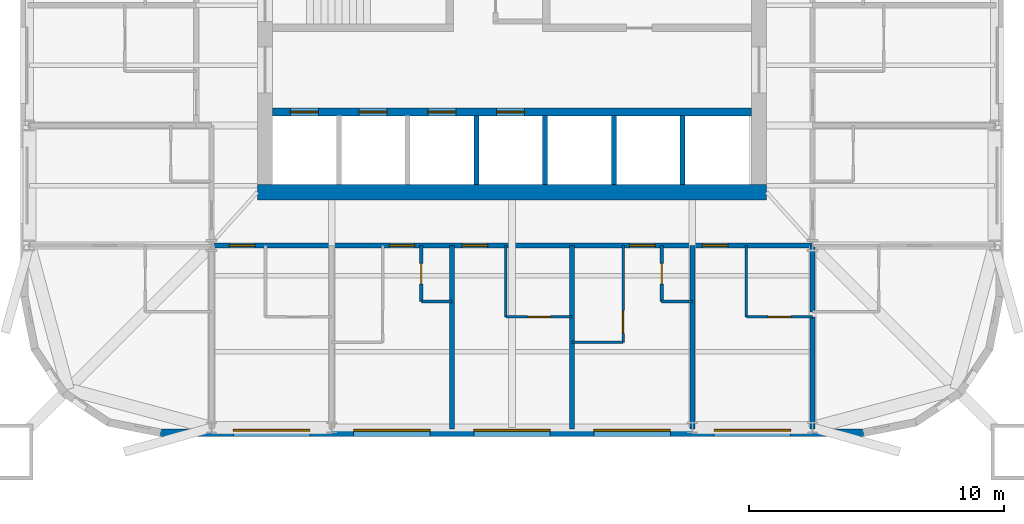
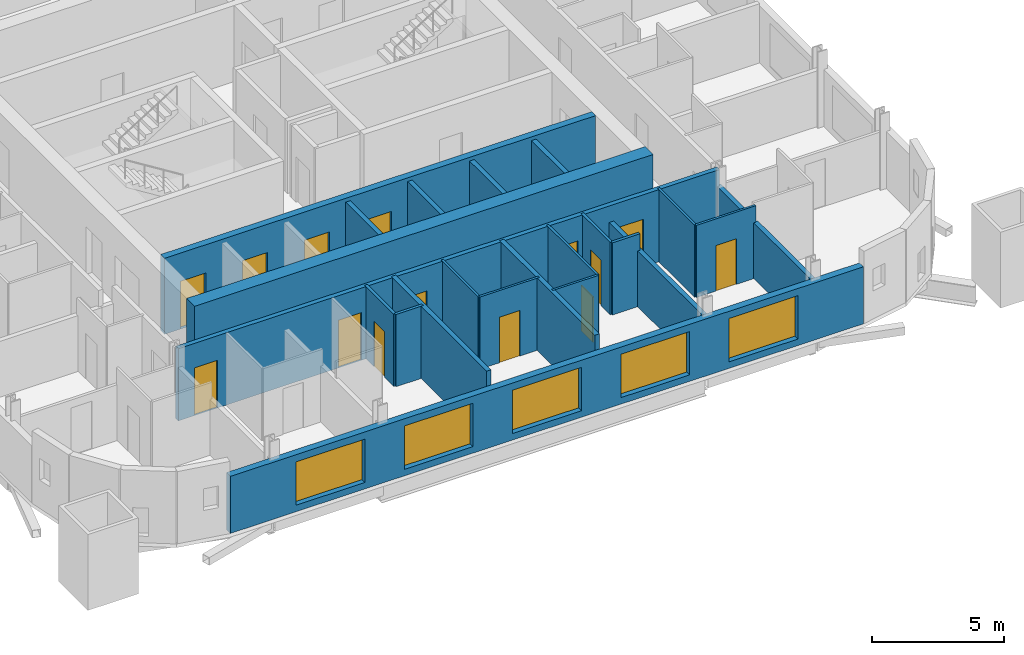
# One storey, part 3 of 9: 23 walls, 14 doors, 5 windows, 19 openings.
"""IFC4 building model written with IfcOpenShell, lengths in metres."""

from ifc_helpers import new_model, si_unit, direction, frame, frame_2d, origin, place, context, subcontext, project, spatial, rectangle, extrude, material, layer, layer_set, type_object, element, fill, save


model = new_model("IFC4")

# Units and contexts
model_context = context("Model", 3, precision=1e-05, world=origin(), true_north=direction((0.0, 1.0)))
body_context = subcontext(model_context, "Body", "Model", "MODEL_VIEW")
ifc_project = project(units=[si_unit("LENGTHUNIT", "METRE"), si_unit("AREAUNIT", "SQUARE_METRE"), si_unit("VOLUMEUNIT", "CUBIC_METRE"), si_unit("PLANEANGLEUNIT", "RADIAN"), si_unit("MASSUNIT", "GRAM", prefix="KILO")], contexts=[model_context])

# Site, building, storey
site_placement = place(None, origin())
site = spatial("IfcSite", under=ifc_project, at=site_placement, CompositionType="ELEMENT")
building_placement = place(site_placement, origin())
building = spatial("IfcBuilding", under=site, at=building_placement, Name="Turquesa Mirador Hotel Tower", CompositionType="ELEMENT")
storey_placement = place(building_placement, frame((0.0, 0.0, 214.300048828125)))
storey = spatial("IfcBuildingStorey", under=building, at=storey_placement, Name="L58", CompositionType="ELEMENT", Elevation=214.300048828125)

# Wall, opening, door
ifc_material_1 = material(Name="Gypsum board on steel studs", Category="steel")
ifc_layer_1 = layer(ifc_material_1, 0.10009765625)
ifc_layer_set_1 = layer_set([ifc_layer_1], Name="BATHROOM WALL 100")
wall_type_1 = type_object("IfcWallType", Name="BATHROOM WALL 100", PredefinedType="PARTITIONING", material=ifc_layer_set_1)
wall_1_placement = place(storey_placement, frame((54.760009765625, 30.39990234375, 0.0), z_axis=(0.0, 0.0, 1.0), x_axis=(1.0, 0.0, 0.0)))
wall_1 = element("IfcWall", 1, at=wall_1_placement, inside=storey, type_object=wall_type_1, Name="Partition L58 013", PredefinedType="PARTITIONING", context=body_context, shape_type="SweptSolid", body=[
    extrude(rectangle(XDim=2.60009765625, YDim=0.10009765625, at=frame_2d((1.300048828125, 0.0))), origin(), (0.0, 0.0, 1.0), 3.329833984375),
])
opening_1_placement = place(wall_1_placement, frame((0.85009765625, 0.0, 0.0)))
opening_1 = element("IfcOpeningElement", 2, at=opening_1_placement, cuts=wall_1, Name="Opening D02", PredefinedType="OPENING", context=body_context, shape_type="SweptSolid", body=[
    extrude(rectangle(XDim=0.89990234375, YDim=2.10009765625, at=frame_2d((0.449951171875, 1.050048828125))), frame((0.0, 0.06005859375, 0.0), z_axis=(0.0, -1.0, 0.0), x_axis=(1.0, 0.0, 0.0)), (0.0, 0.0, 1.0), 0.1201171875),
])
ifc_material_2 = material(Name="Timber veneered door", Category="wood")
door_type_1 = type_object("IfcDoorType", Name="DOOR 900X2100 EN-SUITE", OperationType="SINGLE_SWING_RIGHT", PredefinedType="DOOR", material=ifc_material_2)
door_1_placement = place(opening_1_placement, origin())
door_1 = element("IfcDoor", 3, at=door_1_placement, inside=storey, type_object=door_type_1, Name="Door 5808B", OperationType="SINGLE_SWING_RIGHT", OverallHeight=2.10009765625, OverallWidth=0.89990234375, PredefinedType="DOOR", context=body_context, shape_type="SweptSolid", body=[
    extrude(rectangle(XDim=0.89990234375, YDim=2.10009765625, at=frame_2d((0.449951171875, 1.050048828125))), frame((0.0, 0.02490234375, 0.0), z_axis=(0.0, -1.0, 0.0), x_axis=(1.0, 0.0, 0.0)), (0.0, 0.0, 1.0), 0.050048828125),
])
fill(opening_1, door_1)

wall_2_placement = place(storey_placement, frame((64.199951171875, 30.39990234375, 0.0), z_axis=(0.0, 0.0, 1.0), x_axis=(1.0, 0.0, 0.0)))
wall_2 = element("IfcWall", 4, at=wall_2_placement, inside=storey, type_object=wall_type_1, Name="Partition L58 014", PredefinedType="PARTITIONING", context=body_context, shape_type="SweptSolid", body=[
    extrude(rectangle(XDim=2.60009765625, YDim=0.10009765625, at=frame_2d((1.300048828125, 0.0))), origin(), (0.0, 0.0, 1.0), 3.329833984375),
])
opening_2_placement = place(wall_2_placement, frame((0.85009765625, 0.0, 0.0)))
opening_2 = element("IfcOpeningElement", 5, at=opening_2_placement, cuts=wall_2, Name="Opening D02", PredefinedType="OPENING", context=body_context, shape_type="SweptSolid", body=[
    extrude(rectangle(XDim=0.89990234375, YDim=2.10009765625, at=frame_2d((0.449951171875, 1.050048828125))), frame((0.0, 0.06005859375, 0.0), z_axis=(0.0, -1.0, 0.0), x_axis=(1.0, 0.0, 0.0)), (0.0, 0.0, 1.0), 0.1201171875),
])
door_2_placement = place(opening_2_placement, origin())
door_2 = element("IfcDoor", 6, at=door_2_placement, inside=storey, type_object=door_type_1, Name="Door 5810B", OperationType="SINGLE_SWING_RIGHT", OverallHeight=2.10009765625, OverallWidth=0.89990234375, PredefinedType="DOOR", context=body_context, shape_type="SweptSolid", body=[
    extrude(rectangle(XDim=0.89990234375, YDim=2.10009765625, at=frame_2d((0.449951171875, 1.050048828125))), frame((0.0, 0.02490234375, 0.0), z_axis=(0.0, -1.0, 0.0), x_axis=(1.0, 0.0, 0.0)), (0.0, 0.0, 1.0), 0.050048828125),
])
fill(opening_2, door_2)

# Walls
wall_3_placement = place(storey_placement, frame((57.360107421875, 29.39990234375, 0.0), z_axis=(0.0, 0.0, 1.0), x_axis=(1.0, 0.0, 0.0)))
element("IfcWall", 7, at=wall_3_placement, inside=storey, type_object=wall_type_1, Name="Partition L58 016", PredefinedType="PARTITIONING", context=body_context, shape_type="SweptSolid", body=[
    extrude(rectangle(XDim=2.0, YDim=0.10009765625, at=frame_2d((1.0, 0.0))), origin(), (0.0, 0.0, 1.0), 3.329833984375),
])
wall_4_placement = place(storey_placement, frame((54.760009765625, 30.39990234375, 0.0), z_axis=(0.0, 0.0, 1.0), x_axis=(0.0, 1.0, 0.0)))
element("IfcWall", 8, at=wall_4_placement, inside=storey, type_object=wall_type_1, Name="Partition L58 053", PredefinedType="PARTITIONING", context=body_context, shape_type="SweptSolid", body=[
    extrude(rectangle(XDim=2.800048828125, YDim=0.10009765625, at=frame_2d((1.39990234375, 0.0))), origin(), (0.0, 0.0, 1.0), 3.329833984375),
])

# Wall, opening, door
wall_5_placement = place(storey_placement, frame((59.360107421875, 29.39990234375, 0.0), z_axis=(0.0, 0.0, 1.0), x_axis=(0.0, 1.0, 0.0)))
wall_5 = element("IfcWall", 9, at=wall_5_placement, inside=storey, type_object=wall_type_1, Name="Partition L58 095", PredefinedType="PARTITIONING", context=body_context, shape_type="SweptSolid", body=[
    extrude(rectangle(XDim=3.800048828125, YDim=0.10009765625, at=frame_2d((1.89990234375, 0.0))), origin(), (0.0, 0.0, 1.0), 3.329833984375),
])
opening_3_placement = place(wall_5_placement, frame((0.35009765625, 0.0, 0.0)))
opening_3 = element("IfcOpeningElement", 10, at=opening_3_placement, cuts=wall_5, Name="Opening D02", PredefinedType="OPENING", context=body_context, shape_type="SweptSolid", body=[
    extrude(rectangle(XDim=0.89990234375, YDim=2.10009765625, at=frame_2d((0.449951171875, 1.050048828125))), frame((0.0, 0.06005859375, 0.0), z_axis=(0.0, -1.0, 0.0), x_axis=(1.0, 0.0, 0.0)), (0.0, 0.0, 1.0), 0.1201171875),
])
door_3_placement = place(opening_3_placement, origin())
door_3 = element("IfcDoor", 11, at=door_3_placement, inside=storey, type_object=door_type_1, Name="Door 5809B", OperationType="SINGLE_SWING_RIGHT", OverallHeight=2.10009765625, OverallWidth=0.89990234375, PredefinedType="DOOR", context=body_context, shape_type="SweptSolid", body=[
    extrude(rectangle(XDim=0.89990234375, YDim=2.10009765625, at=frame_2d((0.449951171875, 1.050048828125))), frame((0.0, 0.02490234375, 0.0), z_axis=(0.0, -1.0, 0.0), x_axis=(1.0, 0.0, 0.0)), (0.0, 0.0, 1.0), 0.050048828125),
])
fill(opening_3, door_3)

# Wall
wall_6_placement = place(storey_placement, frame((64.199951171875, 30.39990234375, 0.0), z_axis=(0.0, 0.0, 1.0), x_axis=(0.0, 1.0, 0.0)))
element("IfcWall", 12, at=wall_6_placement, inside=storey, type_object=wall_type_1, Name="Partition L58 100", PredefinedType="PARTITIONING", context=body_context, shape_type="SweptSolid", body=[
    extrude(rectangle(XDim=2.800048828125, YDim=0.10009765625, at=frame_2d((1.39990234375, 0.0))), origin(), (0.0, 0.0, 1.0), 3.329833984375),
])

# Wall, openings, doors
ifc_material_3 = material(Name="Concrete C50/60", Category="concrete")
ifc_layer_2 = layer(ifc_material_3, 0.300048828125)
ifc_layer_set_2 = layer_set([ifc_layer_2], Name="CORE INNER WALL 300")
wall_type_2 = type_object("IfcWallType", Name="CORE INNER WALL 300", PredefinedType="SHEAR", material=ifc_layer_set_2)
wall_7_placement = place(storey_placement, frame((45.60009765625, 38.449951171875, 0.0), z_axis=(0.0, 0.0, 1.0), x_axis=(1.0, 0.0, 0.0)))
wall_7 = element("IfcWall", 13, at=wall_7_placement, inside=storey, type_object=wall_type_2, Name="Core wall SL", PredefinedType="SHEAR", context=body_context, shape_type="SweptSolid", body=[
    extrude(rectangle(XDim=18.7998046875, YDim=0.300048828125, at=frame_2d((9.39990234375, 0.0))), origin(), (0.0, 0.0, 1.0), 3.5),
])
opening_4_placement = place(wall_7_placement, frame((0.699951171875, 0.0, 0.0)))
opening_4 = element("IfcOpeningElement", 14, at=opening_4_placement, cuts=wall_7, Name="Opening LD", PredefinedType="OPENING", context=body_context, shape_type="SweptSolid", body=[
    extrude(rectangle(XDim=1.10009765625, YDim=2.199951171875, at=frame_2d((0.550048828125, 1.10009765625))), frame((0.0, 0.159912109375, 0.0), z_axis=(0.0, -1.0, 0.0), x_axis=(1.0, 0.0, 0.0)), (0.0, 0.0, 1.0), 0.320068359375),
])
opening_5_placement = place(wall_7_placement, frame((3.39990234375, 0.0, 0.0)))
opening_5 = element("IfcOpeningElement", 15, at=opening_5_placement, cuts=wall_7, Name="Opening LD", PredefinedType="OPENING", context=body_context, shape_type="SweptSolid", body=[
    extrude(rectangle(XDim=1.10009765625, YDim=2.199951171875, at=frame_2d((0.550048828125, 1.10009765625))), frame((0.0, 0.159912109375, 0.0), z_axis=(0.0, -1.0, 0.0), x_axis=(1.0, 0.0, 0.0)), (0.0, 0.0, 1.0), 0.320068359375),
])
opening_6_placement = place(wall_7_placement, frame((6.10009765625, 0.0, 0.0)))
opening_6 = element("IfcOpeningElement", 16, at=opening_6_placement, cuts=wall_7, Name="Opening LD", PredefinedType="OPENING", context=body_context, shape_type="SweptSolid", body=[
    extrude(rectangle(XDim=1.10009765625, YDim=2.199951171875, at=frame_2d((0.550048828125, 1.10009765625))), frame((0.0, 0.159912109375, 0.0), z_axis=(0.0, -1.0, 0.0), x_axis=(1.0, 0.0, 0.0)), (0.0, 0.0, 1.0), 0.320068359375),
])
opening_7_placement = place(wall_7_placement, frame((8.800048828125, 0.0, 0.0)))
opening_7 = element("IfcOpeningElement", 17, at=opening_7_placement, cuts=wall_7, Name="Opening LD", PredefinedType="OPENING", context=body_context, shape_type="SweptSolid", body=[
    extrude(rectangle(XDim=1.10009765625, YDim=2.199951171875, at=frame_2d((0.550048828125, 1.10009765625))), frame((0.0, 0.159912109375, 0.0), z_axis=(0.0, -1.0, 0.0), x_axis=(1.0, 0.0, 0.0)), (0.0, 0.0, 1.0), 0.320068359375),
])
ifc_material_4 = material(Name="Stainless steel lift landing door", Category="steel")
door_type_2 = type_object("IfcDoorType", Name="LIFT LANDING DOOR 1100X2200", OperationType="SLIDING_TO_LEFT", PredefinedType="DOOR", material=ifc_material_4)
door_4_placement = place(opening_4_placement, origin())
door_4 = element("IfcDoor", 18, at=door_4_placement, inside=storey, type_object=door_type_2, Name="Lift B1 landing door", OperationType="SLIDING_TO_LEFT", OverallHeight=2.199951171875, OverallWidth=1.10009765625, PredefinedType="DOOR", context=body_context, shape_type="SweptSolid", body=[
    extrude(rectangle(XDim=1.10009765625, YDim=2.199951171875, at=frame_2d((0.550048828125, 1.10009765625))), frame((0.0, 0.02490234375, 0.0), z_axis=(0.0, -1.0, 0.0), x_axis=(1.0, 0.0, 0.0)), (0.0, 0.0, 1.0), 0.050048828125),
])
fill(opening_4, door_4)
door_5_placement = place(opening_5_placement, origin())
door_5 = element("IfcDoor", 19, at=door_5_placement, inside=storey, type_object=door_type_2, Name="Lift B2 landing door", OperationType="SLIDING_TO_LEFT", OverallHeight=2.199951171875, OverallWidth=1.10009765625, PredefinedType="DOOR", context=body_context, shape_type="SweptSolid", body=[
    extrude(rectangle(XDim=1.10009765625, YDim=2.199951171875, at=frame_2d((0.550048828125, 1.10009765625))), frame((0.0, 0.02490234375, 0.0), z_axis=(0.0, -1.0, 0.0), x_axis=(1.0, 0.0, 0.0)), (0.0, 0.0, 1.0), 0.050048828125),
])
fill(opening_5, door_5)
door_6_placement = place(opening_6_placement, origin())
door_6 = element("IfcDoor", 20, at=door_6_placement, inside=storey, type_object=door_type_2, Name="Lift B3 landing door", OperationType="SLIDING_TO_LEFT", OverallHeight=2.199951171875, OverallWidth=1.10009765625, PredefinedType="DOOR", context=body_context, shape_type="SweptSolid", body=[
    extrude(rectangle(XDim=1.10009765625, YDim=2.199951171875, at=frame_2d((0.550048828125, 1.10009765625))), frame((0.0, 0.02490234375, 0.0), z_axis=(0.0, -1.0, 0.0), x_axis=(1.0, 0.0, 0.0)), (0.0, 0.0, 1.0), 0.050048828125),
])
fill(opening_6, door_6)
door_7_placement = place(opening_7_placement, origin())
door_7 = element("IfcDoor", 21, at=door_7_placement, inside=storey, type_object=door_type_2, Name="Lift B4 landing door", OperationType="SLIDING_TO_LEFT", OverallHeight=2.199951171875, OverallWidth=1.10009765625, PredefinedType="DOOR", context=body_context, shape_type="SweptSolid", body=[
    extrude(rectangle(XDim=1.10009765625, YDim=2.199951171875, at=frame_2d((0.550048828125, 1.10009765625))), frame((0.0, 0.02490234375, 0.0), z_axis=(0.0, -1.0, 0.0), x_axis=(1.0, 0.0, 0.0)), (0.0, 0.0, 1.0), 0.050048828125),
])
fill(opening_7, door_7)

# Wall
ifc_material_5 = material(Name="Concrete C50/60", Category="concrete")
ifc_layer_3 = layer(ifc_material_5, 0.60009765625)
ifc_layer_set_3 = layer_set([ifc_layer_3], Name="CORE WALL 600")
wall_type_3 = type_object("IfcWallType", Name="CORE WALL 600", PredefinedType="SHEAR", material=ifc_layer_set_3)
wall_8_placement = place(storey_placement, frame((45.0, 35.300048828125, 0.0), z_axis=(0.0, 0.0, 1.0), x_axis=(1.0, 0.0, 0.0)))
element("IfcWall", 22, at=wall_8_placement, inside=storey, type_object=wall_type_3, Name="Core wall S", PredefinedType="SHEAR", context=body_context, shape_type="SweptSolid", body=[
    extrude(rectangle(XDim=20.0, YDim=0.60009765625, at=frame_2d((10.0, 0.0))), origin(), (0.0, 0.0, 1.0), 3.5),
])

# Wall, openings, doors
ifc_material_6 = material(Name="Fire-rated gypsum board on steel studs", Category="steel")
ifc_layer_4 = layer(ifc_material_6, 0.199951171875)
ifc_layer_set_4 = layer_set([ifc_layer_4], Name="CORRIDOR WALL 200")
wall_type_4 = type_object("IfcWallType", Name="CORRIDOR WALL 200", PredefinedType="PARTITIONING", material=ifc_layer_set_4)
wall_9_placement = place(storey_placement, frame((43.199951171875, 33.199951171875, 0.0), z_axis=(0.0, 0.0, 1.0), x_axis=(1.0, 0.0, 0.0)))
wall_9 = element("IfcWall", 23, at=wall_9_placement, inside=storey, type_object=wall_type_4, Name="Partition L58 005", PredefinedType="PARTITIONING", context=body_context, shape_type="SweptSolid", body=[
    extrude(rectangle(XDim=23.60009765625, YDim=0.199951171875, at=frame_2d((11.800048828125, 0.0))), origin(), (0.0, 0.0, 1.0), 3.329833984375),
])
opening_8_placement = place(wall_9_placement, frame((0.699951171875, 0.0, 0.0)))
opening_8 = element("IfcOpeningElement", 24, at=opening_8_placement, cuts=wall_9, Name="Opening D01", PredefinedType="OPENING", context=body_context, shape_type="SweptSolid", body=[
    extrude(rectangle(XDim=1.0, YDim=2.199951171875, at=frame_2d((0.5, 1.10009765625))), frame((0.0, 0.10986328125, 0.0), z_axis=(0.0, -1.0, 0.0), x_axis=(1.0, 0.0, 0.0)), (0.0, 0.0, 1.0), 0.219970703125),
])
opening_9_placement = place(wall_9_placement, frame((6.97998046875, 0.0, 0.0)))
opening_9 = element("IfcOpeningElement", 25, at=opening_9_placement, cuts=wall_9, Name="Opening D01", PredefinedType="OPENING", context=body_context, shape_type="SweptSolid", body=[
    extrude(rectangle(XDim=1.0, YDim=2.199951171875, at=frame_2d((0.5, 1.10009765625))), frame((0.0, 0.10986328125, 0.0), z_axis=(0.0, -1.0, 0.0), x_axis=(1.0, 0.0, 0.0)), (0.0, 0.0, 1.0), 0.219970703125),
])
opening_10_placement = place(wall_9_placement, frame((9.840087890625, 0.0, 0.0)))
opening_10 = element("IfcOpeningElement", 26, at=opening_10_placement, cuts=wall_9, Name="Opening D01", PredefinedType="OPENING", context=body_context, shape_type="SweptSolid", body=[
    extrude(rectangle(XDim=1.0, YDim=2.199951171875, at=frame_2d((0.5, 1.10009765625))), frame((0.0, 0.10986328125, 0.0), z_axis=(0.0, -1.0, 0.0), x_axis=(1.0, 0.0, 0.0)), (0.0, 0.0, 1.0), 0.219970703125),
])
opening_11_placement = place(wall_9_placement, frame((16.419921875, 0.0, 0.0)))
opening_11 = element("IfcOpeningElement", 27, at=opening_11_placement, cuts=wall_9, Name="Opening D01", PredefinedType="OPENING", context=body_context, shape_type="SweptSolid", body=[
    extrude(rectangle(XDim=1.0, YDim=2.199951171875, at=frame_2d((0.5, 1.10009765625))), frame((0.0, 0.10986328125, 0.0), z_axis=(0.0, -1.0, 0.0), x_axis=(1.0, 0.0, 0.0)), (0.0, 0.0, 1.0), 0.219970703125),
])
opening_12_placement = place(wall_9_placement, frame((19.280029296875, 0.0, 0.0)))
opening_12 = element("IfcOpeningElement", 28, at=opening_12_placement, cuts=wall_9, Name="Opening D01", PredefinedType="OPENING", context=body_context, shape_type="SweptSolid", body=[
    extrude(rectangle(XDim=1.0, YDim=2.199951171875, at=frame_2d((0.5, 1.10009765625))), frame((0.0, 0.10986328125, 0.0), z_axis=(0.0, -1.0, 0.0), x_axis=(1.0, 0.0, 0.0)), (0.0, 0.0, 1.0), 0.219970703125),
])
ifc_material_7 = material(Name="Timber veneered fire door", Category="wood")
door_type_3 = type_object("IfcDoorType", Name="DOOR 1000X2200 GUEST ENTRY", OperationType="SINGLE_SWING_LEFT", PredefinedType="DOOR", material=ifc_material_7)
door_8_placement = place(opening_8_placement, origin())
door_8 = element("IfcDoor", 29, at=door_8_placement, inside=storey, type_object=door_type_3, Name="Door 5806", OperationType="SINGLE_SWING_LEFT", OverallHeight=2.199951171875, OverallWidth=1.0, PredefinedType="DOOR", context=body_context, shape_type="SweptSolid", body=[
    extrude(rectangle(XDim=1.0, YDim=2.199951171875, at=frame_2d((0.5, 1.10009765625))), frame((0.0, 0.02490234375, 0.0), z_axis=(0.0, -1.0, 0.0), x_axis=(1.0, 0.0, 0.0)), (0.0, 0.0, 1.0), 0.050048828125),
])
fill(opening_8, door_8)
door_9_placement = place(opening_9_placement, origin())
door_9 = element("IfcDoor", 30, at=door_9_placement, inside=storey, type_object=door_type_3, Name="Door 5807", OperationType="SINGLE_SWING_LEFT", OverallHeight=2.199951171875, OverallWidth=1.0, PredefinedType="DOOR", context=body_context, shape_type="SweptSolid", body=[
    extrude(rectangle(XDim=1.0, YDim=2.199951171875, at=frame_2d((0.5, 1.10009765625))), frame((0.0, 0.02490234375, 0.0), z_axis=(0.0, -1.0, 0.0), x_axis=(1.0, 0.0, 0.0)), (0.0, 0.0, 1.0), 0.050048828125),
])
fill(opening_9, door_9)
door_10_placement = place(opening_10_placement, origin())
door_10 = element("IfcDoor", 31, at=door_10_placement, inside=storey, type_object=door_type_3, Name="Door 5808", OperationType="SINGLE_SWING_LEFT", OverallHeight=2.199951171875, OverallWidth=1.0, PredefinedType="DOOR", context=body_context, shape_type="SweptSolid", body=[
    extrude(rectangle(XDim=1.0, YDim=2.199951171875, at=frame_2d((0.5, 1.10009765625))), frame((0.0, 0.02490234375, 0.0), z_axis=(0.0, -1.0, 0.0), x_axis=(1.0, 0.0, 0.0)), (0.0, 0.0, 1.0), 0.050048828125),
])
fill(opening_10, door_10)
door_11_placement = place(opening_11_placement, origin())
door_11 = element("IfcDoor", 32, at=door_11_placement, inside=storey, type_object=door_type_3, Name="Door 5809", OperationType="SINGLE_SWING_LEFT", OverallHeight=2.199951171875, OverallWidth=1.0, PredefinedType="DOOR", context=body_context, shape_type="SweptSolid", body=[
    extrude(rectangle(XDim=1.0, YDim=2.199951171875, at=frame_2d((0.5, 1.10009765625))), frame((0.0, 0.02490234375, 0.0), z_axis=(0.0, -1.0, 0.0), x_axis=(1.0, 0.0, 0.0)), (0.0, 0.0, 1.0), 0.050048828125),
])
fill(opening_11, door_11)
door_12_placement = place(opening_12_placement, origin())
door_12 = element("IfcDoor", 33, at=door_12_placement, inside=storey, type_object=door_type_3, Name="Door 5810", OperationType="SINGLE_SWING_LEFT", OverallHeight=2.199951171875, OverallWidth=1.0, PredefinedType="DOOR", context=body_context, shape_type="SweptSolid", body=[
    extrude(rectangle(XDim=1.0, YDim=2.199951171875, at=frame_2d((0.5, 1.10009765625))), frame((0.0, 0.02490234375, 0.0), z_axis=(0.0, -1.0, 0.0), x_axis=(1.0, 0.0, 0.0)), (0.0, 0.0, 1.0), 0.050048828125),
])
fill(opening_12, door_12)

# Wall, openings, windows
ifc_material_8 = material(Name="Limestone cladding on concrete block", Category="masonry")
ifc_layer_5 = layer(ifc_material_8, 0.300048828125)
ifc_layer_set_5 = layer_set([ifc_layer_5], Name="FACADE WALL 300 STONE SCREEN")
wall_type_5 = type_object("IfcWallType", Name="FACADE WALL 300 STONE SCREEN", PredefinedType="SOLIDWALL", material=ifc_layer_set_5)
wall_10_placement = place(storey_placement, frame((41.199951171875, 25.85009765625, 0.0), z_axis=(0.0, 0.0, 1.0), x_axis=(1.0, 0.0, 0.0)))
wall_10 = element("IfcWall", 34, at=wall_10_placement, inside=storey, type_object=wall_type_5, Name="Facade wall L58 19", PredefinedType="SOLIDWALL", context=body_context, shape_type="SweptSolid", body=[
    extrude(rectangle(XDim=27.60009765625, YDim=0.300048828125, at=frame_2d((13.800048828125, 0.0))), origin(), (0.0, 0.0, 1.0), 2.6298828125),
])
opening_13_placement = place(wall_10_placement, frame((2.860107421875, 0.0, 0.300048828125)))
opening_13 = element("IfcOpeningElement", 35, at=opening_13_placement, cuts=wall_10, Name="Opening WN1", PredefinedType="OPENING", context=body_context, shape_type="SweptSolid", body=[
    extrude(rectangle(XDim=3.0, YDim=2.0, at=frame_2d((1.5, 1.0))), frame((0.0, 0.159912109375, 0.0), z_axis=(0.0, -1.0, 0.0), x_axis=(1.0, 0.0, 0.0)), (0.0, 0.0, 1.0), 0.320068359375),
])
opening_14_placement = place(wall_10_placement, frame((7.580078125, 0.0, 0.300048828125)))
opening_14 = element("IfcOpeningElement", 36, at=opening_14_placement, cuts=wall_10, Name="Opening WN1", PredefinedType="OPENING", context=body_context, shape_type="SweptSolid", body=[
    extrude(rectangle(XDim=3.0, YDim=2.0, at=frame_2d((1.5, 1.0))), frame((0.0, 0.159912109375, 0.0), z_axis=(0.0, -1.0, 0.0), x_axis=(1.0, 0.0, 0.0)), (0.0, 0.0, 1.0), 0.320068359375),
])
opening_15_placement = place(wall_10_placement, frame((12.300048828125, 0.0, 0.300048828125)))
opening_15 = element("IfcOpeningElement", 37, at=opening_15_placement, cuts=wall_10, Name="Opening WN1", PredefinedType="OPENING", context=body_context, shape_type="SweptSolid", body=[
    extrude(rectangle(XDim=3.0, YDim=2.0, at=frame_2d((1.5, 1.0))), frame((0.0, 0.159912109375, 0.0), z_axis=(0.0, -1.0, 0.0), x_axis=(1.0, 0.0, 0.0)), (0.0, 0.0, 1.0), 0.320068359375),
])
opening_16_placement = place(wall_10_placement, frame((17.02001953125, 0.0, 0.300048828125)))
opening_16 = element("IfcOpeningElement", 38, at=opening_16_placement, cuts=wall_10, Name="Opening WN1", PredefinedType="OPENING", context=body_context, shape_type="SweptSolid", body=[
    extrude(rectangle(XDim=3.0, YDim=2.0, at=frame_2d((1.5, 1.0))), frame((0.0, 0.159912109375, 0.0), z_axis=(0.0, -1.0, 0.0), x_axis=(1.0, 0.0, 0.0)), (0.0, 0.0, 1.0), 0.320068359375),
])
opening_17_placement = place(wall_10_placement, frame((21.739990234375, 0.0, 0.300048828125)))
opening_17 = element("IfcOpeningElement", 39, at=opening_17_placement, cuts=wall_10, Name="Opening WN1", PredefinedType="OPENING", context=body_context, shape_type="SweptSolid", body=[
    extrude(rectangle(XDim=3.0, YDim=2.0, at=frame_2d((1.5, 1.0))), frame((0.0, 0.159912109375, 0.0), z_axis=(0.0, -1.0, 0.0), x_axis=(1.0, 0.0, 0.0)), (0.0, 0.0, 1.0), 0.320068359375),
])
ifc_material_9 = material(Name="Ceramic-fritted laminated glass", Category="glass")
window_type = type_object("IfcWindowType", Name="FRITTED WINDOW 3000X2000", PartitioningType="DOUBLE_PANEL_HORIZONTAL", PredefinedType="WINDOW", material=ifc_material_9)
window_1_placement = place(opening_13_placement, origin())
window_1 = element("IfcWindow", 40, at=window_1_placement, inside=storey, type_object=window_type, Name="Window L58", OverallHeight=2.0, OverallWidth=3.0, PartitioningType="SINGLE_PANEL", PredefinedType="WINDOW", context=body_context, shape_type="SweptSolid", body=[
    extrude(rectangle(XDim=3.0, YDim=2.0, at=frame_2d((1.5, 1.0))), frame((0.0, 0.130126953125, 0.0), z_axis=(0.0, -1.0, 0.0), x_axis=(1.0, 0.0, 0.0)), (0.0, 0.0, 1.0), 0.06005859375),
])
fill(opening_13, window_1)
window_2_placement = place(opening_14_placement, origin())
window_2 = element("IfcWindow", 41, at=window_2_placement, inside=storey, type_object=window_type, Name="Window L58", OverallHeight=2.0, OverallWidth=3.0, PartitioningType="SINGLE_PANEL", PredefinedType="WINDOW", context=body_context, shape_type="SweptSolid", body=[
    extrude(rectangle(XDim=3.0, YDim=2.0, at=frame_2d((1.5, 1.0))), frame((0.0, 0.130126953125, 0.0), z_axis=(0.0, -1.0, 0.0), x_axis=(1.0, 0.0, 0.0)), (0.0, 0.0, 1.0), 0.06005859375),
])
fill(opening_14, window_2)
window_3_placement = place(opening_15_placement, origin())
window_3 = element("IfcWindow", 42, at=window_3_placement, inside=storey, type_object=window_type, Name="Window L58", OverallHeight=2.0, OverallWidth=3.0, PartitioningType="SINGLE_PANEL", PredefinedType="WINDOW", context=body_context, shape_type="SweptSolid", body=[
    extrude(rectangle(XDim=3.0, YDim=2.0, at=frame_2d((1.5, 1.0))), frame((0.0, 0.130126953125, 0.0), z_axis=(0.0, -1.0, 0.0), x_axis=(1.0, 0.0, 0.0)), (0.0, 0.0, 1.0), 0.06005859375),
])
fill(opening_15, window_3)
window_4_placement = place(opening_16_placement, origin())
window_4 = element("IfcWindow", 43, at=window_4_placement, inside=storey, type_object=window_type, Name="Window L58", OverallHeight=2.0, OverallWidth=3.0, PartitioningType="SINGLE_PANEL", PredefinedType="WINDOW", context=body_context, shape_type="SweptSolid", body=[
    extrude(rectangle(XDim=3.0, YDim=2.0, at=frame_2d((1.5, 1.0))), frame((0.0, 0.130126953125, 0.0), z_axis=(0.0, -1.0, 0.0), x_axis=(1.0, 0.0, 0.0)), (0.0, 0.0, 1.0), 0.06005859375),
])
fill(opening_16, window_4)
window_5_placement = place(opening_17_placement, origin())
window_5 = element("IfcWindow", 44, at=window_5_placement, inside=storey, type_object=window_type, Name="Window L58", OverallHeight=2.0, OverallWidth=3.0, PartitioningType="SINGLE_PANEL", PredefinedType="WINDOW", context=body_context, shape_type="SweptSolid", body=[
    extrude(rectangle(XDim=3.0, YDim=2.0, at=frame_2d((1.5, 1.0))), frame((0.0, 0.130126953125, 0.0), z_axis=(0.0, -1.0, 0.0), x_axis=(1.0, 0.0, 0.0)), (0.0, 0.0, 1.0), 0.06005859375),
])
fill(opening_17, window_5)

# Walls
ifc_material_10 = material(Name="Fire-rated gypsum shaft wall on steel studs", Category="steel")
ifc_layer_6 = layer(ifc_material_10, 0.199951171875)
ifc_layer_set_6 = layer_set([ifc_layer_6], Name="LIFT SHAFT DIVIDER 200")
wall_type_6 = type_object("IfcWallType", Name="LIFT SHAFT DIVIDER 200", PredefinedType="PARTITIONING", material=ifc_layer_set_6)
for number, where, z_axis, x_axis, name in (
    (45, (53.60009765625, 35.60009765625, 0.0), (0.0, 0.0, 1.0), (0.0, 1.0, 0.0), "Lift shaft divider"),
    (46, (56.300048828125, 35.60009765625, 0.0), (0.0, 0.0, 1.0), (0.0, 1.0, 0.0), "Lift shaft divider"),
    (47, (59.0, 35.60009765625, 0.0), (0.0, 0.0, 1.0), (0.0, 1.0, 0.0), "Lift shaft divider"),
    (48, (61.699951171875, 35.60009765625, 0.0), (0.0, 0.0, 1.0), (0.0, 1.0, 0.0), "Lift shaft divider"),
):
    element("IfcWall", number, at=place(storey_placement, frame(where, z_axis=z_axis, x_axis=x_axis)), inside=storey, type_object=wall_type_6, Name=name, PredefinedType="PARTITIONING", context=body_context, shape_type="SweptSolid", body=[
        extrude(rectangle(XDim=2.699951171875, YDim=0.199951171875, at=frame_2d((1.35009765625, 0.0))), origin(), (0.0, 0.0, 1.0), 3.329833984375),
    ])
ifc_material_11 = material(Name="Fire-rated gypsum board on steel studs", Category="steel")
ifc_layer_7 = layer(ifc_material_11, 0.199951171875)
ifc_layer_set_7 = layer_set([ifc_layer_7], Name="PARTY WALL 200")
wall_type_7 = type_object("IfcWallType", Name="PARTY WALL 200", PredefinedType="PARTITIONING", material=ifc_layer_set_7)
wall_11_placement = place(storey_placement, frame((52.639892578125, 26.0, 0.0), z_axis=(0.0, 0.0, 1.0), x_axis=(0.0, 1.0, 0.0)))
element("IfcWall", 49, at=wall_11_placement, inside=storey, type_object=wall_type_7, Name="Partition L58 070", PredefinedType="PARTITIONING", context=body_context, shape_type="SweptSolid", body=[
    extrude(rectangle(XDim=7.199951171875, YDim=0.199951171875, at=frame_2d((3.60009765625, 0.0))), origin(), (0.0, 0.0, 1.0), 3.329833984375),
])
wall_12_placement = place(storey_placement, frame((66.800048828125, 26.0, 0.0), z_axis=(0.0, 0.0, 1.0), x_axis=(0.0, 1.0, 0.0)))
element("IfcWall", 50, at=wall_12_placement, inside=storey, type_object=wall_type_7, Name="Partition L58 082", PredefinedType="PARTITIONING", context=body_context, shape_type="SweptSolid", body=[
    extrude(rectangle(XDim=4.39990234375, YDim=0.199951171875, at=frame_2d((2.199951171875, 0.0))), origin(), (0.0, 0.0, 1.0), 2.572998046875),
])
wall_13_placement = place(storey_placement, frame((66.800048828125, 30.60009765625, 0.0), z_axis=(0.0, 0.0, 1.0), x_axis=(0.0, 1.0, 0.0)))
element("IfcWall", 51, at=wall_13_placement, inside=storey, type_object=wall_type_7, Name="Partition L58 083", PredefinedType="PARTITIONING", context=body_context, shape_type="SweptSolid", body=[
    extrude(rectangle(XDim=2.599853515625, YDim=0.199951171875, at=frame_2d((1.2998046875, 0.0))), origin(), (0.0, 0.0, 1.0), 2.572998046875),
])
wall_14_placement = place(storey_placement, frame((57.360107421875, 26.0, 0.0), z_axis=(0.0, 0.0, 1.0), x_axis=(0.0, 1.0, 0.0)))
element("IfcWall", 52, at=wall_14_placement, inside=storey, type_object=wall_type_7, Name="Partition L58 093", PredefinedType="PARTITIONING", context=body_context, shape_type="SweptSolid", body=[
    extrude(rectangle(XDim=7.199951171875, YDim=0.199951171875, at=frame_2d((3.60009765625, 0.0))), origin(), (0.0, 0.0, 1.0), 3.329833984375),
])
wall_15_placement = place(storey_placement, frame((62.080078125, 26.0, 0.0), z_axis=(0.0, 0.0, 1.0), x_axis=(0.0, 1.0, 0.0)))
element("IfcWall", 53, at=wall_15_placement, inside=storey, type_object=wall_type_7, Name="Partition L58 098", PredefinedType="PARTITIONING", context=body_context, shape_type="SweptSolid", body=[
    extrude(rectangle(XDim=7.199951171875, YDim=0.199951171875, at=frame_2d((3.60009765625, 0.0))), origin(), (0.0, 0.0, 1.0), 2.572998046875),
])
ifc_material_12 = material(Name="Acoustic gypsum board on steel studs", Category="steel")
ifc_layer_8 = layer(ifc_material_12, 0.125)
ifc_layer_set_8 = layer_set([ifc_layer_8], Name="SUITE PARTITION 125")
wall_type_8 = type_object("IfcWallType", Name="SUITE PARTITION 125", PredefinedType="PARTITIONING", material=ifc_layer_set_8)
wall_16_placement = place(storey_placement, frame((51.43994140625, 31.0, 0.0), z_axis=(0.0, 0.0, 1.0), x_axis=(1.0, 0.0, 0.0)))
element("IfcWall", 54, at=wall_16_placement, inside=storey, type_object=wall_type_8, Name="Partition L58 008", PredefinedType="PARTITIONING", context=body_context, shape_type="SweptSolid", body=[
    extrude(rectangle(XDim=1.199951171875, YDim=0.125, at=frame_2d((0.60009765625, 0.0))), origin(), (0.0, 0.0, 1.0), 3.329833984375),
])
wall_17_placement = place(storey_placement, frame((60.8798828125, 31.0, 0.0), z_axis=(0.0, 0.0, 1.0), x_axis=(1.0, 0.0, 0.0)))
element("IfcWall", 55, at=wall_17_placement, inside=storey, type_object=wall_type_8, Name="Partition L58 009", PredefinedType="PARTITIONING", context=body_context, shape_type="SweptSolid", body=[
    extrude(rectangle(XDim=1.2001953125, YDim=0.125, at=frame_2d((0.60009765625, 0.0))), origin(), (0.0, 0.0, 1.0), 3.329833984375),
])

# Wall, opening, door
wall_18_placement = place(storey_placement, frame((51.43994140625, 31.0, 0.0), z_axis=(0.0, 0.0, 1.0), x_axis=(0.0, 1.0, 0.0)))
wall_18 = element("IfcWall", 56, at=wall_18_placement, inside=storey, type_object=wall_type_8, Name="Partition L58 072", PredefinedType="PARTITIONING", context=body_context, shape_type="SweptSolid", body=[
    extrude(rectangle(XDim=2.199951171875, YDim=0.125, at=frame_2d((1.10009765625, 0.0))), origin(), (0.0, 0.0, 1.0), 3.329833984375),
])
opening_18_placement = place(wall_18_placement, frame((0.699951171875, 0.0, 0.0)))
opening_18 = element("IfcOpeningElement", 57, at=opening_18_placement, cuts=wall_18, Name="Opening D20", PredefinedType="OPENING", context=body_context, shape_type="SweptSolid", body=[
    extrude(rectangle(XDim=0.800048828125, YDim=2.10009765625, at=frame_2d((0.39990234375, 1.050048828125))), frame((0.0, 0.072509765625, 0.0), z_axis=(0.0, -1.0, 0.0), x_axis=(1.0, 0.0, 0.0)), (0.0, 0.0, 1.0), 0.14501953125),
])
ifc_material_13 = material(Name="Timber veneered sliding door", Category="wood")
door_type_4 = type_object("IfcDoorType", Name="DOOR 800X2100 WARDROBE", OperationType="SLIDING_TO_LEFT", PredefinedType="DOOR", material=ifc_material_13)
door_13_placement = place(opening_18_placement, origin())
door_13 = element("IfcDoor", 58, at=door_13_placement, inside=storey, type_object=door_type_4, Name="Door 5807W", OperationType="SLIDING_TO_LEFT", OverallHeight=2.10009765625, OverallWidth=0.800048828125, PredefinedType="DOOR", context=body_context, shape_type="SweptSolid", body=[
    extrude(rectangle(XDim=0.800048828125, YDim=2.10009765625, at=frame_2d((0.39990234375, 1.050048828125))), frame((0.0, 0.02490234375, 0.0), z_axis=(0.0, -1.0, 0.0), x_axis=(1.0, 0.0, 0.0)), (0.0, 0.0, 1.0), 0.050048828125),
])
fill(opening_18, door_13)

wall_19_placement = place(storey_placement, frame((60.8798828125, 31.0, 0.0), z_axis=(0.0, 0.0, 1.0), x_axis=(0.0, 1.0, 0.0)))
wall_19 = element("IfcWall", 59, at=wall_19_placement, inside=storey, type_object=wall_type_8, Name="Partition L58 097", PredefinedType="PARTITIONING", context=body_context, shape_type="SweptSolid", body=[
    extrude(rectangle(XDim=2.199951171875, YDim=0.125, at=frame_2d((1.10009765625, 0.0))), origin(), (0.0, 0.0, 1.0), 3.329833984375),
])
opening_19_placement = place(wall_19_placement, frame((0.699951171875, 0.0, 0.0)))
opening_19 = element("IfcOpeningElement", 60, at=opening_19_placement, cuts=wall_19, Name="Opening D20", PredefinedType="OPENING", context=body_context, shape_type="SweptSolid", body=[
    extrude(rectangle(XDim=0.800048828125, YDim=2.10009765625, at=frame_2d((0.39990234375, 1.050048828125))), frame((0.0, 0.072509765625, 0.0), z_axis=(0.0, -1.0, 0.0), x_axis=(1.0, 0.0, 0.0)), (0.0, 0.0, 1.0), 0.14501953125),
])
door_14_placement = place(opening_19_placement, origin())
door_14 = element("IfcDoor", 61, at=door_14_placement, inside=storey, type_object=door_type_4, Name="Door 5809W", OperationType="SLIDING_TO_LEFT", OverallHeight=2.10009765625, OverallWidth=0.800048828125, PredefinedType="DOOR", context=body_context, shape_type="SweptSolid", body=[
    extrude(rectangle(XDim=0.800048828125, YDim=2.10009765625, at=frame_2d((0.39990234375, 1.050048828125))), frame((0.0, 0.02490234375, 0.0), z_axis=(0.0, -1.0, 0.0), x_axis=(1.0, 0.0, 0.0)), (0.0, 0.0, 1.0), 0.050048828125),
])
fill(opening_19, door_14)

save(model, "model.ifc")
